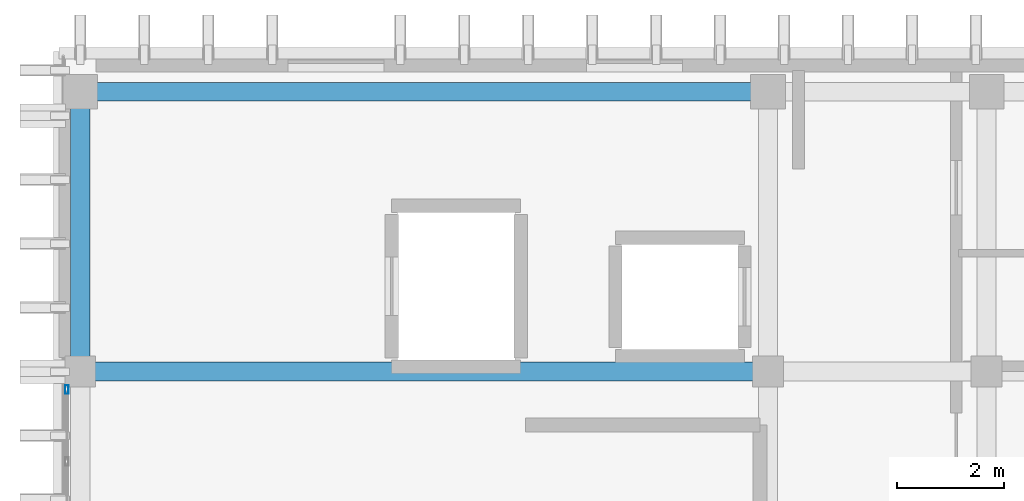
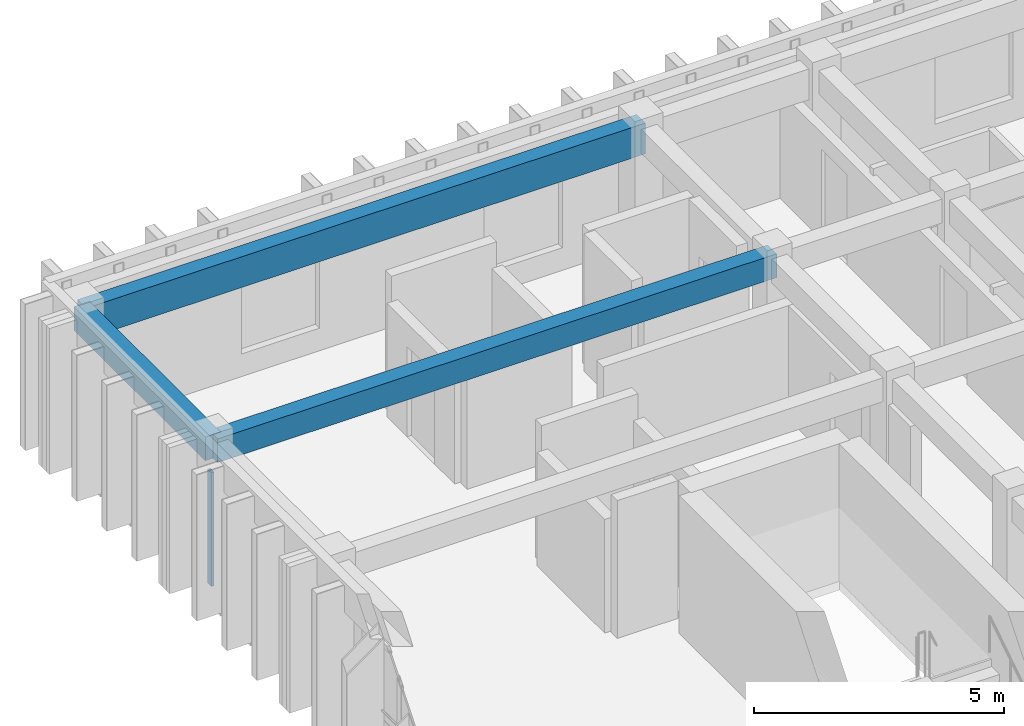
# One storey, part 35 of 49: 3 beams, 1 member, 1 element without a shape of its own.
"""IFC4 building model written with IfcOpenShell, lengths in metres."""

from ifc_helpers import new_model, si_unit, direction, frame, origin, origin_2d, place, context, subcontext, project, spatial, rectangle, hollow_rectangle, extrude, material, layer, layer_set, material_profile, profile_set, type_object, element, aggregate, save


model = new_model("IFC4")

# Units and contexts
model_context = context("Model", 3, precision=1e-05, world=origin(), true_north=direction((0.0, 1.0)))
body_context = subcontext(model_context, "Body", "Model", "MODEL_VIEW")
ifc_project = project(units=[si_unit("LENGTHUNIT", "METRE"), si_unit("AREAUNIT", "SQUARE_METRE"), si_unit("VOLUMEUNIT", "CUBIC_METRE"), si_unit("PLANEANGLEUNIT", "RADIAN"), si_unit("MASSUNIT", "GRAM", prefix="KILO")], contexts=[model_context])

# Site, building, storey
site_placement = place(None, origin())
site = spatial("IfcSite", under=ifc_project, at=site_placement, CompositionType="ELEMENT")
building_placement = place(site_placement, origin())
building = spatial("IfcBuilding", under=site, at=building_placement, Name="Nakhvara Creek Congress Hotel", CompositionType="ELEMENT")
storey_placement = place(building_placement, frame((0.0, 0.0, 39.0)))
storey = spatial("IfcBuildingStorey", under=building, at=storey_placement, Name="L09", CompositionType="ELEMENT", Elevation=39.0)

# Beams
ifc_material_1 = material(Name="Concrete C40/50", Category="concrete")
ifc_material_profile_1 = material_profile(ifc_material_1, rectangle(XDim=0.360107421875, YDim=0.580078125, at=origin_2d()), Name="RC-BM 360x580", Category="LoadBearing")
ifc_profile_set_1 = profile_set([ifc_material_profile_1], Name="Concrete C40/50")
beam_type_1 = type_object("IfcBeamType", Name="BM-RC-360X580", PredefinedType="BEAM", material=ifc_profile_set_1)
beam_1_placement = place(storey_placement, frame((149.449951171875, 120.0, 3.070068359375), z_axis=(0.0, 1.0, 0.0), x_axis=(-1.0, 0.0, 0.0)))
element("IfcBeam", 1, at=beam_1_placement, inside=storey, type_object=beam_type_1, Name="Beam B09-L09-2552", PredefinedType="BEAM", context=body_context, shape_type="SweptSolid", body=[
    extrude(rectangle(XDim=0.360107421875, YDim=0.580078125, at=origin_2d()), origin(), (0.0, 0.0, 1.0), 5.25),
])
beam_2_placement = place(storey_placement, frame((149.449951171875, 120.0, 3.070068359375), z_axis=(1.0, 0.0, 0.0), x_axis=(0.0, 1.0, 0.0)))
element("IfcBeam", 2, at=beam_2_placement, inside=storey, type_object=beam_type_1, Name="Beam B09-L09-2615", PredefinedType="BEAM", context=body_context, shape_type="SweptSolid", body=[
    extrude(rectangle(XDim=0.360107421875, YDim=0.580078125, at=origin_2d()), origin(), (0.0, 0.0, 1.0), 12.900146484375),
])
ifc_material_profile_2 = material_profile(ifc_material_1, rectangle(XDim=0.35009765625, YDim=0.75, at=origin_2d()), Name="RC-SPANDREL 350x750", Category="LoadBearing")
ifc_profile_set_2 = profile_set([ifc_material_profile_2], Name="Concrete C40/50")
beam_type_2 = type_object("IfcBeamType", Name="BM-SPN-350X750", PredefinedType="SPANDREL", material=ifc_profile_set_2)
beam_3_placement = place(storey_placement, frame((149.449951171875, 125.25, 2.985107421875), z_axis=(1.0, 0.0, 0.0), x_axis=(0.0, 1.0, 0.0)))
element("IfcBeam", 3, at=beam_3_placement, inside=storey, type_object=beam_type_2, Name="Beam SP1-L09-2551", PredefinedType="SPANDREL", context=body_context, shape_type="SweptSolid", body=[
    extrude(rectangle(XDim=0.35009765625, YDim=0.75, at=origin_2d()), origin(), (0.0, 0.0, 1.0), 12.900146484375),
])

# Curtain wall, member
ifc_material_2 = material(Name="Bronze-anodised aluminium AW-6063-T6 and double-silver low-E glass", Category="aluminium")
ifc_layer = layer(ifc_material_2, 0.199951171875)
ifc_layer_set = layer_set([ifc_layer], Name="Bronze-anodised aluminium AW-6063-T6 and double-silver low-E glass")
curtain_wall_type = type_object("IfcCurtainWallType", Name="CW-HTL-UNIT", PredefinedType="USERDEFINED", material=ifc_layer_set)
curtain_wall_placement = place(storey_placement, origin())
curtain_wall = element("IfcCurtainWall", 4, at=curtain_wall_placement, inside=storey, type_object=curtain_wall_type, Name="Curtain Wall CW312", ObjectType="UNITISED", PredefinedType="USERDEFINED")
ifc_material_3 = material(Name="Bronze-anodised aluminium AW-6063-T6", Category="aluminium")
ifc_material_profile_3 = material_profile(ifc_material_3, hollow_rectangle(XDim=0.06494140625, YDim=0.159912109375, WallThickness=0.00390625, at=origin_2d()), Name="ALU-MULL 65x160x4", Category="LoadBearing")
ifc_profile_set_3 = profile_set([ifc_material_profile_3], Name="Bronze-anodised aluminium AW-6063-T6")
member_type = type_object("IfcMemberType", Name="CW-MULL-160", PredefinedType="MULLION", material=ifc_profile_set_3)
member_placement = place(storey_placement, frame((149.199951171875, 119.66259765625, 0.0), z_axis=(0.0, 0.0, 1.0), x_axis=(-1.0, 0.0, 0.0)))
member = element("IfcMember", 5, at=member_placement, type_object=member_type, Name="CW312 mullion 4", PredefinedType="MULLION", context=body_context, shape_type="SweptSolid", body=[
    extrude(hollow_rectangle(XDim=0.06494140625, YDim=0.159912109375, WallThickness=0.00390625, at=origin_2d()), origin(), (0.0, 0.0, 1.0), 2.77197265625),
])
aggregate(curtain_wall, [member])

save(model, "model.ifc")
